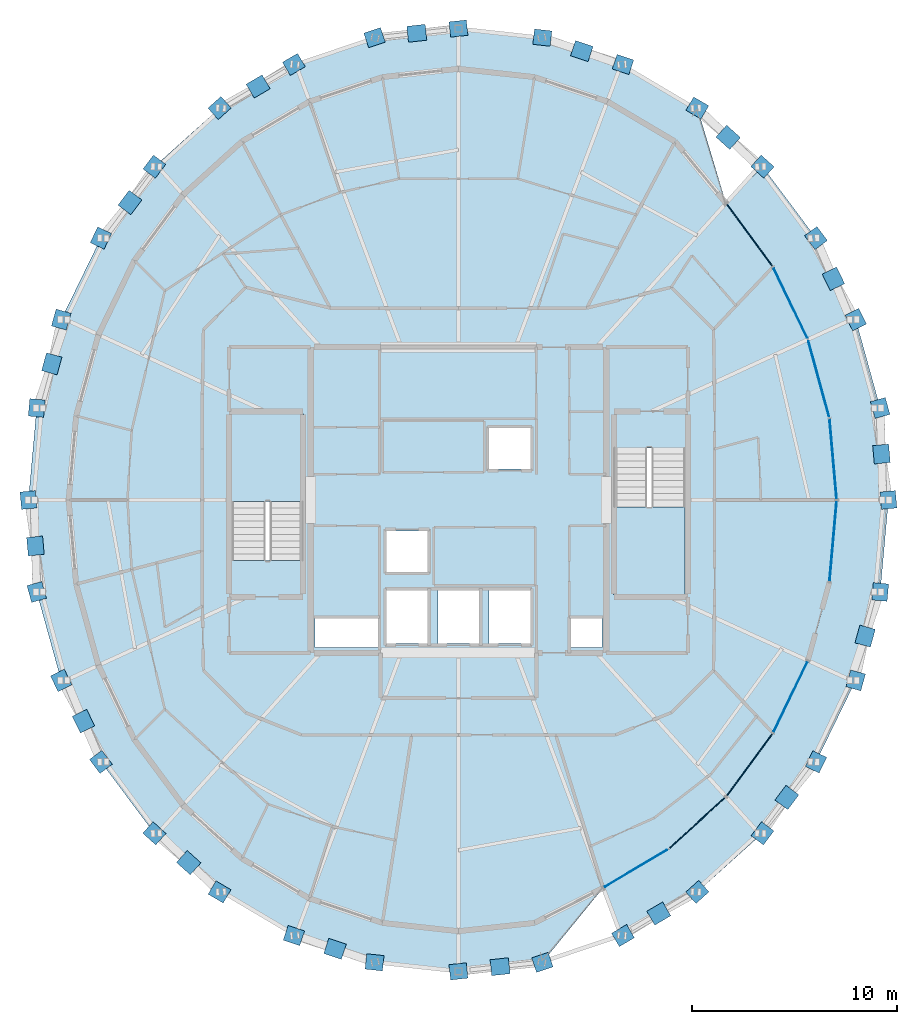
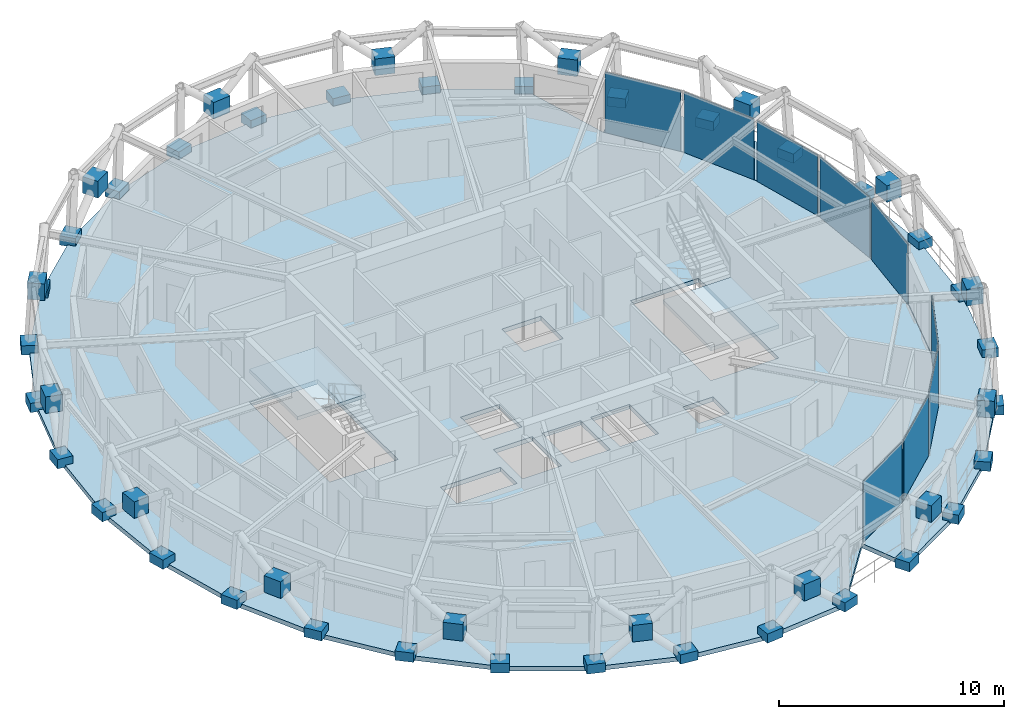
# One storey, part 9 of 15: 57 plates, 4 slabs, 4 elements without a shape of their own.
"""IFC4 building model written with IfcOpenShell, lengths in metres."""

from ifc_helpers import new_model, si_unit, direction, frame, origin, origin_2d, place, context, subcontext, project, spatial, polyline, rectangle, outline, extrude, material, layer, layer_set, type_object, element, aggregate, save


model = new_model("IFC4")

# Units and contexts
model_context = context("Model", 3, precision=1e-05, world=origin(), true_north=direction((0.0, 1.0)))
body_context = subcontext(model_context, "Body", "Model", "MODEL_VIEW")
ifc_project = project(units=[si_unit("LENGTHUNIT", "METRE"), si_unit("AREAUNIT", "SQUARE_METRE"), si_unit("VOLUMEUNIT", "CUBIC_METRE"), si_unit("PLANEANGLEUNIT", "RADIAN"), si_unit("MASSUNIT", "GRAM", prefix="KILO")], contexts=[model_context])

# Site, building, storey
site_placement = place(None, origin())
site = spatial("IfcSite", under=ifc_project, at=site_placement, CompositionType="ELEMENT")
building_placement = place(site_placement, origin())
building = spatial("IfcBuilding", under=site, at=building_placement, Name="Veldorina Hangang Commons", CompositionType="ELEMENT")
storey_placement = place(building_placement, frame((0.0, 0.0, 276.0)))
storey = spatial("IfcBuildingStorey", under=building, at=storey_placement, Name="L72", CompositionType="ELEMENT", Elevation=276.0)

# Curtain wall, plates
ifc_material_1 = material(Name="Glass Low-E Selective", Category="glass")
ifc_layer_1 = layer(ifc_material_1, 0.179931640625)
ifc_layer_set_1 = layer_set([ifc_layer_1], Name="Glass Low-E Selective")
curtain_wall_type = type_object("IfcCurtainWallType", Name="CW-SYS-Z3", PredefinedType="NOTDEFINED", material=ifc_layer_set_1)
curtain_wall_1_placement = place(storey_placement, origin())
curtain_wall_1 = element("IfcCurtainWall", 1, at=curtain_wall_1_placement, inside=storey, type_object=curtain_wall_type, Name="L72 unitised curtain wall CW-L72-R1", PredefinedType="NOTDEFINED")
ifc_material_2 = material(Name="Glass Low-E Triple IGU", Category="glass")
ifc_layer_2 = layer(ifc_material_2, 0.0400390625)
ifc_layer_set_2 = layer_set([ifc_layer_2], Name="Glass Low-E Triple IGU")
plate_type_1 = type_object("IfcPlateType", Name="CW-PNL-VIS", PredefinedType="CURTAIN_PANEL", material=ifc_layer_set_2)
plate_1_placement = place(storey_placement, frame((40.648193359375, 6.04931640625, 0.014892578125), z_axis=(0.0, 0.0, 1.0), x_axis=(0.860137278432, 0.510062606207, 0.0)))
plate_1 = element("IfcPlate", 2, at=plate_1_placement, type_object=plate_type_1, Name="CW-L72-R1 facet 1 glazed vision panel", PredefinedType="CURTAIN_PANEL", context=body_context, shape_type="SweptSolid", body=[
    extrude(rectangle(XDim=3.525390625, YDim=0.0400390625, at=origin_2d()), origin(), (0.0, 0.0, 1.0), 3.2900390625),
])
plate_2_placement = place(storey_placement, frame((43.638671875, 8.26611328125, 0.014892578125), z_axis=(0.0, 0.0, 1.0), x_axis=(0.739407874914, 0.67325774746, 0.0)))
plate_2 = element("IfcPlate", 3, at=plate_2_placement, type_object=plate_type_1, Name="CW-L72-R1 facet 2 glazed vision panel", PredefinedType="CURTAIN_PANEL", context=body_context, shape_type="SweptSolid", body=[
    extrude(rectangle(XDim=3.597900390625, YDim=0.0400390625, at=origin_2d()), origin(), (0.0, 0.0, 1.0), 3.2900390625),
])
plate_3_placement = place(storey_placement, frame((46.181884765625, 11.08740234375, 0.014892578125), z_axis=(0.0, 0.0, 1.0), x_axis=(0.594710541362, 0.80393990571, 0.0)))
plate_3 = element("IfcPlate", 4, at=plate_3_placement, type_object=plate_type_1, Name="CW-L72-R1 facet 3 glazed vision panel", PredefinedType="CURTAIN_PANEL", context=body_context, shape_type="SweptSolid", body=[
    extrude(rectangle(XDim=3.675048828125, YDim=0.0400390625, at=origin_2d()), origin(), (0.0, 0.0, 1.0), 3.2900390625),
])
plate_4_placement = place(storey_placement, frame((48.179931640625, 14.405029296875, 0.014892578125), z_axis=(0.0, 0.0, 1.0), x_axis=(0.434020765137, 0.900902866812, 0.0)))
plate_4 = element("IfcPlate", 5, at=plate_4_placement, type_object=plate_type_1, Name="CW-L72-R1 facet 4 glazed vision panel", PredefinedType="CURTAIN_PANEL", context=body_context, shape_type="SweptSolid", body=[
    extrude(rectangle(XDim=3.744873046875, YDim=0.0400390625, at=origin_2d()), origin(), (0.0, 0.0, 1.0), 3.2900390625),
])
aggregate(curtain_wall_1, [plate_1, plate_2, plate_3, plate_4])

curtain_wall_2_placement = place(storey_placement, origin())
curtain_wall_2 = element("IfcCurtainWall", 6, at=curtain_wall_2_placement, inside=storey, type_object=curtain_wall_type, Name="L72 unitised curtain wall CW-L72-R2", PredefinedType="NOTDEFINED")
plate_5_placement = place(storey_placement, frame((50.2578125, 22.0048828125, 0.014892578125), z_axis=(0.0, 0.0, 1.0), x_axis=(0.08842491372, 0.996082845266, 0.0)))
plate_5 = element("IfcPlate", 7, at=plate_5_placement, type_object=plate_type_1, Name="CW-L72-R2 facet 1 glazed vision panel", PredefinedType="CURTAIN_PANEL", context=body_context, shape_type="SweptSolid", body=[
    extrude(rectangle(XDim=3.82568359375, YDim=0.0400390625, at=origin_2d()), origin(), (0.0, 0.0, 1.0), 3.2900390625),
])
plate_6_placement = place(storey_placement, frame((50.2578125, 25.9951171875, 0.014892578125), z_axis=(0.0, 0.0, 1.0), x_axis=(-0.08842491372, 0.996082845266, 0.0)))
plate_6 = element("IfcPlate", 8, at=plate_6_placement, type_object=plate_type_1, Name="CW-L72-R2 facet 2 glazed vision panel", PredefinedType="CURTAIN_PANEL", context=body_context, shape_type="SweptSolid", body=[
    extrude(rectangle(XDim=3.82568359375, YDim=0.0400390625, at=origin_2d()), origin(), (0.0, 0.0, 1.0), 3.2900390625),
])
plate_7_placement = place(storey_placement, frame((49.55615234375, 29.908447265625, 0.014892578125), z_axis=(0.0, 0.0, 1.0), x_axis=(-0.263755205077, 0.964589649434, 0.0)))
plate_7 = element("IfcPlate", 9, at=plate_7_placement, type_object=plate_type_1, Name="CW-L72-R2 facet 3 glazed vision panel", PredefinedType="CURTAIN_PANEL", context=body_context, shape_type="SweptSolid", body=[
    extrude(rectangle(XDim=3.797607421875, YDim=0.0400390625, at=origin_2d()), origin(), (0.0, 0.0, 1.0), 3.2900390625),
])
plate_8_placement = place(storey_placement, frame((48.179931640625, 33.594970703125, 0.014892578125), z_axis=(0.0, 0.0, 1.0), x_axis=(-0.434020765137, 0.900902866812, 0.0)))
plate_8 = element("IfcPlate", 10, at=plate_8_placement, type_object=plate_type_1, Name="CW-L72-R2 facet 4 glazed vision panel", PredefinedType="CURTAIN_PANEL", context=body_context, shape_type="SweptSolid", body=[
    extrude(rectangle(XDim=3.744873046875, YDim=0.0400390625, at=origin_2d()), origin(), (0.0, 0.0, 1.0), 3.2900390625),
])
plate_9_placement = place(storey_placement, frame((46.181884765625, 36.91259765625, 0.014892578125), z_axis=(0.0, 0.0, 1.0), x_axis=(-0.594710541362, 0.80393990571, 0.0)))
plate_9 = element("IfcPlate", 11, at=plate_9_placement, type_object=plate_type_1, Name="CW-L72-R2 facet 5 glazed vision panel", PredefinedType="CURTAIN_PANEL", context=body_context, shape_type="SweptSolid", body=[
    extrude(rectangle(XDim=3.675048828125, YDim=0.0400390625, at=origin_2d()), origin(), (0.0, 0.0, 1.0), 3.2900390625),
])
aggregate(curtain_wall_2, [plate_5, plate_6, plate_7, plate_8, plate_9])

# Plates
ifc_material_3 = material(Name="Steel SM460-TMC", Category="steel")
ifc_layer_3 = layer(ifc_material_3, 0.035888671875)
ifc_layer_set_3 = layer_set([ifc_layer_3], Name="Steel SM460-TMC")
plate_type_2 = type_object("IfcPlateType", Name="PL-STAR-36", PredefinedType="USERDEFINED", material=ifc_layer_set_3)
plate_10_placement = place(storey_placement, frame((52.954833984375, 24.0, -0.090087890625), z_axis=(0.0, 0.0, 1.0), x_axis=(-0.089467960561, 0.995989700767, 0.0)))
element("IfcPlate", 12, at=plate_10_placement, inside=storey, type_object=plate_type_2, Name="L72 diagrid star-node gusset plate 00", ObjectType="GUSSET PLATE", PredefinedType="USERDEFINED", context=body_context, shape_type="SweptSolid", body=[
    extrude(rectangle(XDim=0.85009765625, YDim=0.75, at=origin_2d()), origin(), (0.0, 0.0, 1.0), 0.5),
])
plate_11_placement = place(storey_placement, frame((52.614990234375, 26.240478515625, 1.3505859375), z_axis=(0.0, 0.0, 1.0), x_axis=(-0.089467960561, 0.995989700767, 0.0)))
element("IfcPlate", 13, at=plate_11_placement, inside=storey, type_object=plate_type_2, Name="L72 diagrid X-crossing star-node gusset plate 00", ObjectType="GUSSET PLATE", PredefinedType="USERDEFINED", context=body_context, shape_type="SweptSolid", body=[
    extrude(rectangle(XDim=0.89990234375, YDim=0.780029296875, at=origin_2d()), origin(), (0.0, 0.0, 1.0), 0.89990234375),
])
for number, where, z_axis, x_axis, name in (
    (14, (52.55224609375, 28.481689453125, -0.090087890625), (0.0, 0.0, 1.0), (-0.266700141653, 0.963779556975, 0.0), "L72 diagrid star-node gusset plate 01"),
    (15, (51.35986328125, 32.791259765625, -0.090087890625), (0.0, 0.0, 1.0), (-0.438245647193, 0.898855245697, 0.0), "L72 diagrid star-node gusset plate 02"),
):
    element("IfcPlate", number, at=place(storey_placement, frame(where, z_axis=z_axis, x_axis=x_axis)), inside=storey, type_object=plate_type_2, Name=name, ObjectType="GUSSET PLATE", PredefinedType="USERDEFINED", context=body_context, shape_type="SweptSolid", body=[
        extrude(rectangle(XDim=0.85009765625, YDim=0.75, at=origin_2d()), origin(), (0.0, 0.0, 1.0), 0.5),
    ])
plate_12_placement = place(storey_placement, frame((50.272705078125, 34.776611328125, 1.352783203125), z_axis=(0.0, 0.0, 1.0), x_axis=(-0.438245647193, 0.898855245697, 0.0)))
element("IfcPlate", 16, at=plate_12_placement, inside=storey, type_object=plate_type_2, Name="L72 diagrid X-crossing star-node gusset plate 02", ObjectType="GUSSET PLATE", PredefinedType="USERDEFINED", context=body_context, shape_type="SweptSolid", body=[
    extrude(rectangle(XDim=0.89990234375, YDim=0.780029296875, at=origin_2d()), origin(), (0.0, 0.0, 1.0), 0.89990234375),
])
for number, where, z_axis, x_axis, name in (
    (17, (49.42333984375, 36.762939453125, -0.090087890625), (0.0, 0.0, 1.0), (-0.599261153925, 0.800553601826, 0.0), "L72 diagrid star-node gusset plate 03"),
    (18, (46.8173828125, 40.244140625, -0.090087890625), (0.0, 0.0, 1.0), (-0.743413371835, 0.668832235002, 0.0), "L72 diagrid star-node gusset plate 04"),
):
    element("IfcPlate", number, at=place(storey_placement, frame(where, z_axis=z_axis, x_axis=x_axis)), inside=storey, type_object=plate_type_2, Name=name, ObjectType="GUSSET PLATE", PredefinedType="USERDEFINED", context=body_context, shape_type="SweptSolid", body=[
        extrude(rectangle(XDim=0.85009765625, YDim=0.75, at=origin_2d()), origin(), (0.0, 0.0, 1.0), 0.5),
    ])
plate_13_placement = place(storey_placement, frame((45.144775390625, 41.673095703125, 1.35693359375), z_axis=(0.0, 0.0, 1.0), x_axis=(-0.743413371835, 0.668832235002, 0.0)))
element("IfcPlate", 19, at=plate_13_placement, inside=storey, type_object=plate_type_2, Name="L72 diagrid X-crossing star-node gusset plate 04", ObjectType="GUSSET PLATE", PredefinedType="USERDEFINED", context=body_context, shape_type="SweptSolid", body=[
    extrude(rectangle(XDim=0.89990234375, YDim=0.780029296875, at=origin_2d()), origin(), (0.0, 0.0, 1.0), 0.89990234375),
])
for number, where, z_axis, x_axis, name in (
    (20, (43.641845703125, 43.10107421875, -0.090087890625), (0.0, 0.0, 1.0), (-0.862778509623, 0.505582083675, 0.0), "L72 diagrid star-node gusset plate 05"),
    (21, (40.01904296875, 45.22412109375, -0.090087890625), (0.0, 0.0, 1.0), (-0.948903553606, 0.315566230692, 0.0), "L72 diagrid star-node gusset plate 06"),
):
    element("IfcPlate", number, at=place(storey_placement, frame(where, z_axis=z_axis, x_axis=x_axis)), inside=storey, type_object=plate_type_2, Name=name, ObjectType="GUSSET PLATE", PredefinedType="USERDEFINED", context=body_context, shape_type="SweptSolid", body=[
        extrude(rectangle(XDim=0.85009765625, YDim=0.75, at=origin_2d()), origin(), (0.0, 0.0, 1.0), 0.5),
    ])
plate_14_placement = place(storey_placement, frame((38.013916015625, 45.875732421875, 1.361083984375), z_axis=(0.0, 0.0, 1.0), x_axis=(-0.948903553606, 0.315566230692, 0.0)))
element("IfcPlate", 22, at=plate_14_placement, inside=storey, type_object=plate_type_2, Name="L72 diagrid X-crossing star-node gusset plate 06", ObjectType="GUSSET PLATE", PredefinedType="USERDEFINED", context=body_context, shape_type="SweptSolid", body=[
    extrude(rectangle(XDim=0.89990234375, YDim=0.780029296875, at=origin_2d()), origin(), (0.0, 0.0, 1.0), 0.89990234375),
])
for number, where, z_axis, x_axis, name in (
    (23, (36.088134765625, 46.53125, -0.090087890625), (0.0, 0.0, 1.0), (-0.994222373205, 0.107339986113, 0.0), "L72 diagrid star-node gusset plate 07"),
    (24, (32.0, 46.97265625, -0.090087890625), (0.0, 0.0, 1.0), (-0.994222373205, -0.107339986113, 0.0), "L72 diagrid star-node gusset plate 08"),
):
    element("IfcPlate", number, at=place(storey_placement, frame(where, z_axis=z_axis, x_axis=x_axis)), inside=storey, type_object=plate_type_2, Name=name, ObjectType="GUSSET PLATE", PredefinedType="USERDEFINED", context=body_context, shape_type="SweptSolid", body=[
        extrude(rectangle(XDim=0.85009765625, YDim=0.75, at=origin_2d()), origin(), (0.0, 0.0, 1.0), 0.5),
    ])
plate_15_placement = place(storey_placement, frame((29.969970703125, 46.744384765625, 1.362060546875), z_axis=(0.0, 0.0, 1.0), x_axis=(-0.994222373205, -0.107339986113, 0.0)))
element("IfcPlate", 25, at=plate_15_placement, inside=storey, type_object=plate_type_2, Name="L72 diagrid X-crossing star-node gusset plate 08", ObjectType="GUSSET PLATE", PredefinedType="USERDEFINED", context=body_context, shape_type="SweptSolid", body=[
    extrude(rectangle(XDim=0.89990234375, YDim=0.780029296875, at=origin_2d()), origin(), (0.0, 0.0, 1.0), 0.89990234375),
])
for number, where, z_axis, x_axis, name in (
    (26, (27.911865234375, 46.53125, -0.090087890625), (0.0, 0.0, 1.0), (-0.948903553606, -0.315566230692, 0.0), "L72 diagrid star-node gusset plate 09"),
    (27, (23.98095703125, 45.22412109375, -0.090087890625), (0.0, 0.0, 1.0), (-0.862778509623, -0.505582083675, 0.0), "L72 diagrid star-node gusset plate 10"),
):
    element("IfcPlate", number, at=place(storey_placement, frame(where, z_axis=z_axis, x_axis=x_axis)), inside=storey, type_object=plate_type_2, Name=name, ObjectType="GUSSET PLATE", PredefinedType="USERDEFINED", context=body_context, shape_type="SweptSolid", body=[
        extrude(rectangle(XDim=0.85009765625, YDim=0.75, at=origin_2d()), origin(), (0.0, 0.0, 1.0), 0.5),
    ])
plate_16_placement = place(storey_placement, frame((22.239013671875, 44.152099609375, 1.359130859375), z_axis=(0.0, 0.0, 1.0), x_axis=(-0.862778509623, -0.505582083675, 0.0)))
element("IfcPlate", 28, at=plate_16_placement, inside=storey, type_object=plate_type_2, Name="L72 diagrid X-crossing star-node gusset plate 10", ObjectType="GUSSET PLATE", PredefinedType="USERDEFINED", context=body_context, shape_type="SweptSolid", body=[
    extrude(rectangle(XDim=0.89990234375, YDim=0.780029296875, at=origin_2d()), origin(), (0.0, 0.0, 1.0), 0.89990234375),
])
for number, where, z_axis, x_axis, name in (
    (29, (20.358154296875, 43.10107421875, -0.090087890625), (0.0, 0.0, 1.0), (-0.743413371835, -0.668832235002, 0.0), "L72 diagrid star-node gusset plate 11"),
    (30, (17.1826171875, 40.244140625, -0.090087890625), (0.0, 0.0, 1.0), (-0.599261153925, -0.800553601826, 0.0), "L72 diagrid star-node gusset plate 12"),
):
    element("IfcPlate", number, at=place(storey_placement, frame(where, z_axis=z_axis, x_axis=x_axis)), inside=storey, type_object=plate_type_2, Name=name, ObjectType="GUSSET PLATE", PredefinedType="USERDEFINED", context=body_context, shape_type="SweptSolid", body=[
        extrude(rectangle(XDim=0.85009765625, YDim=0.75, at=origin_2d()), origin(), (0.0, 0.0, 1.0), 0.5),
    ])
plate_17_placement = place(storey_placement, frame((15.993896484375, 38.49560546875, 1.354736328125), z_axis=(0.0, 0.0, 1.0), x_axis=(-0.599261153925, -0.800553601826, 0.0)))
element("IfcPlate", 31, at=plate_17_placement, inside=storey, type_object=plate_type_2, Name="L72 diagrid X-crossing star-node gusset plate 12", ObjectType="GUSSET PLATE", PredefinedType="USERDEFINED", context=body_context, shape_type="SweptSolid", body=[
    extrude(rectangle(XDim=0.89990234375, YDim=0.780029296875, at=origin_2d()), origin(), (0.0, 0.0, 1.0), 0.89990234375),
])
for number, where, z_axis, x_axis, name in (
    (32, (14.57666015625, 36.762939453125, -0.090087890625), (0.0, 0.0, 1.0), (-0.438245647193, -0.898855245697, 0.0), "L72 diagrid star-node gusset plate 13"),
    (33, (12.64013671875, 32.791259765625, -0.090087890625), (0.0, 0.0, 1.0), (-0.266700141653, -0.963779556975, 0.0), "L72 diagrid star-node gusset plate 14"),
):
    element("IfcPlate", number, at=place(storey_placement, frame(where, z_axis=z_axis, x_axis=x_axis)), inside=storey, type_object=plate_type_2, Name=name, ObjectType="GUSSET PLATE", PredefinedType="USERDEFINED", context=body_context, shape_type="SweptSolid", body=[
        extrude(rectangle(XDim=0.85009765625, YDim=0.75, at=origin_2d()), origin(), (0.0, 0.0, 1.0), 0.5),
    ])
plate_18_placement = place(storey_placement, frame((12.181884765625, 30.6337890625, 1.351318359375), z_axis=(0.0, 0.0, 1.0), x_axis=(-0.266700141653, -0.963779556975, 0.0)))
element("IfcPlate", 34, at=plate_18_placement, inside=storey, type_object=plate_type_2, Name="L72 diagrid X-crossing star-node gusset plate 14", ObjectType="GUSSET PLATE", PredefinedType="USERDEFINED", context=body_context, shape_type="SweptSolid", body=[
    extrude(rectangle(XDim=0.89990234375, YDim=0.780029296875, at=origin_2d()), origin(), (0.0, 0.0, 1.0), 0.89990234375),
])
for number, where, z_axis, x_axis, name in (
    (35, (11.44775390625, 28.481689453125, -0.090087890625), (0.0, 0.0, 1.0), (-0.089467960561, -0.995989700767, 0.0), "L72 diagrid star-node gusset plate 15"),
    (36, (11.045166015625, 24.0, -0.090087890625), (0.0, 0.0, 1.0), (0.089467960561, -0.995989700767, 0.0), "L72 diagrid star-node gusset plate 16"),
):
    element("IfcPlate", number, at=place(storey_placement, frame(where, z_axis=z_axis, x_axis=x_axis)), inside=storey, type_object=plate_type_2, Name=name, ObjectType="GUSSET PLATE", PredefinedType="USERDEFINED", context=body_context, shape_type="SweptSolid", body=[
        extrude(rectangle(XDim=0.85009765625, YDim=0.75, at=origin_2d()), origin(), (0.0, 0.0, 1.0), 0.5),
    ])
plate_19_placement = place(storey_placement, frame((11.385009765625, 21.759521484375, 1.3505859375), z_axis=(0.0, 0.0, 1.0), x_axis=(0.089467960561, -0.995989700767, 0.0)))
element("IfcPlate", 37, at=plate_19_placement, inside=storey, type_object=plate_type_2, Name="L72 diagrid X-crossing star-node gusset plate 16", ObjectType="GUSSET PLATE", PredefinedType="USERDEFINED", context=body_context, shape_type="SweptSolid", body=[
    extrude(rectangle(XDim=0.89990234375, YDim=0.780029296875, at=origin_2d()), origin(), (0.0, 0.0, 1.0), 0.89990234375),
])
for number, where, z_axis, x_axis, name in (
    (38, (11.44775390625, 19.518310546875, -0.090087890625), (0.0, 0.0, 1.0), (0.266700141653, -0.963779556975, 0.0), "L72 diagrid star-node gusset plate 17"),
    (39, (12.64013671875, 15.208740234375, -0.090087890625), (0.0, 0.0, 1.0), (0.438245647193, -0.898855245697, 0.0), "L72 diagrid star-node gusset plate 18"),
):
    element("IfcPlate", number, at=place(storey_placement, frame(where, z_axis=z_axis, x_axis=x_axis)), inside=storey, type_object=plate_type_2, Name=name, ObjectType="GUSSET PLATE", PredefinedType="USERDEFINED", context=body_context, shape_type="SweptSolid", body=[
        extrude(rectangle(XDim=0.85009765625, YDim=0.75, at=origin_2d()), origin(), (0.0, 0.0, 1.0), 0.5),
    ])
plate_20_placement = place(storey_placement, frame((13.727294921875, 13.223388671875, 1.352783203125), z_axis=(0.0, 0.0, 1.0), x_axis=(0.438245647193, -0.898855245697, 0.0)))
element("IfcPlate", 40, at=plate_20_placement, inside=storey, type_object=plate_type_2, Name="L72 diagrid X-crossing star-node gusset plate 18", ObjectType="GUSSET PLATE", PredefinedType="USERDEFINED", context=body_context, shape_type="SweptSolid", body=[
    extrude(rectangle(XDim=0.89990234375, YDim=0.780029296875, at=origin_2d()), origin(), (0.0, 0.0, 1.0), 0.89990234375),
])
for number, where, z_axis, x_axis, name in (
    (41, (14.57666015625, 11.237060546875, -0.090087890625), (0.0, 0.0, 1.0), (0.599261153925, -0.800553601826, 0.0), "L72 diagrid star-node gusset plate 19"),
    (42, (17.1826171875, 7.755859375, -0.090087890625), (0.0, 0.0, 1.0), (0.743413371835, -0.668832235002, 0.0), "L72 diagrid star-node gusset plate 20"),
):
    element("IfcPlate", number, at=place(storey_placement, frame(where, z_axis=z_axis, x_axis=x_axis)), inside=storey, type_object=plate_type_2, Name=name, ObjectType="GUSSET PLATE", PredefinedType="USERDEFINED", context=body_context, shape_type="SweptSolid", body=[
        extrude(rectangle(XDim=0.85009765625, YDim=0.75, at=origin_2d()), origin(), (0.0, 0.0, 1.0), 0.5),
    ])
plate_21_placement = place(storey_placement, frame((18.855224609375, 6.326904296875, 1.35693359375), z_axis=(0.0, 0.0, 1.0), x_axis=(0.743413371835, -0.668832235002, 0.0)))
element("IfcPlate", 43, at=plate_21_placement, inside=storey, type_object=plate_type_2, Name="L72 diagrid X-crossing star-node gusset plate 20", ObjectType="GUSSET PLATE", PredefinedType="USERDEFINED", context=body_context, shape_type="SweptSolid", body=[
    extrude(rectangle(XDim=0.89990234375, YDim=0.780029296875, at=origin_2d()), origin(), (0.0, 0.0, 1.0), 0.89990234375),
])
for number, where, z_axis, x_axis, name in (
    (44, (20.358154296875, 4.89892578125, -0.090087890625), (0.0, 0.0, 1.0), (0.862778509623, -0.505582083675, 0.0), "L72 diagrid star-node gusset plate 21"),
    (45, (23.98095703125, 2.77587890625, -0.090087890625), (0.0, 0.0, 1.0), (0.948903553606, -0.315566230692, 0.0), "L72 diagrid star-node gusset plate 22"),
):
    element("IfcPlate", number, at=place(storey_placement, frame(where, z_axis=z_axis, x_axis=x_axis)), inside=storey, type_object=plate_type_2, Name=name, ObjectType="GUSSET PLATE", PredefinedType="USERDEFINED", context=body_context, shape_type="SweptSolid", body=[
        extrude(rectangle(XDim=0.85009765625, YDim=0.75, at=origin_2d()), origin(), (0.0, 0.0, 1.0), 0.5),
    ])
plate_22_placement = place(storey_placement, frame((25.986083984375, 2.124267578125, 1.361083984375), z_axis=(0.0, 0.0, 1.0), x_axis=(0.948903553606, -0.315566230692, 0.0)))
element("IfcPlate", 46, at=plate_22_placement, inside=storey, type_object=plate_type_2, Name="L72 diagrid X-crossing star-node gusset plate 22", ObjectType="GUSSET PLATE", PredefinedType="USERDEFINED", context=body_context, shape_type="SweptSolid", body=[
    extrude(rectangle(XDim=0.89990234375, YDim=0.780029296875, at=origin_2d()), origin(), (0.0, 0.0, 1.0), 0.89990234375),
])
for number, where, z_axis, x_axis, name in (
    (47, (27.911865234375, 1.46875, -0.090087890625), (0.0, 0.0, 1.0), (0.994222373205, -0.107339986113, 0.0), "L72 diagrid star-node gusset plate 23"),
    (48, (32.0, 1.02734375, -0.090087890625), (0.0, 0.0, 1.0), (0.994222373205, 0.107339986113, 0.0), "L72 diagrid star-node gusset plate 24"),
):
    element("IfcPlate", number, at=place(storey_placement, frame(where, z_axis=z_axis, x_axis=x_axis)), inside=storey, type_object=plate_type_2, Name=name, ObjectType="GUSSET PLATE", PredefinedType="USERDEFINED", context=body_context, shape_type="SweptSolid", body=[
        extrude(rectangle(XDim=0.85009765625, YDim=0.75, at=origin_2d()), origin(), (0.0, 0.0, 1.0), 0.5),
    ])
plate_23_placement = place(storey_placement, frame((34.030029296875, 1.255615234375, 1.362060546875), z_axis=(0.0, 0.0, 1.0), x_axis=(0.994222373205, 0.107339986113, 0.0)))
element("IfcPlate", 49, at=plate_23_placement, inside=storey, type_object=plate_type_2, Name="L72 diagrid X-crossing star-node gusset plate 24", ObjectType="GUSSET PLATE", PredefinedType="USERDEFINED", context=body_context, shape_type="SweptSolid", body=[
    extrude(rectangle(XDim=0.89990234375, YDim=0.780029296875, at=origin_2d()), origin(), (0.0, 0.0, 1.0), 0.89990234375),
])
for number, where, z_axis, x_axis, name in (
    (50, (36.088134765625, 1.46875, -0.090087890625), (0.0, 0.0, 1.0), (0.948903553606, 0.315566230692, 0.0), "L72 diagrid star-node gusset plate 25"),
    (51, (40.01904296875, 2.77587890625, -0.090087890625), (0.0, 0.0, 1.0), (0.862778509623, 0.505582083675, 0.0), "L72 diagrid star-node gusset plate 26"),
):
    element("IfcPlate", number, at=place(storey_placement, frame(where, z_axis=z_axis, x_axis=x_axis)), inside=storey, type_object=plate_type_2, Name=name, ObjectType="GUSSET PLATE", PredefinedType="USERDEFINED", context=body_context, shape_type="SweptSolid", body=[
        extrude(rectangle(XDim=0.85009765625, YDim=0.75, at=origin_2d()), origin(), (0.0, 0.0, 1.0), 0.5),
    ])
plate_24_placement = place(storey_placement, frame((41.760986328125, 3.847900390625, 1.359130859375), z_axis=(0.0, 0.0, 1.0), x_axis=(0.862778509623, 0.505582083675, 0.0)))
element("IfcPlate", 52, at=plate_24_placement, inside=storey, type_object=plate_type_2, Name="L72 diagrid X-crossing star-node gusset plate 26", ObjectType="GUSSET PLATE", PredefinedType="USERDEFINED", context=body_context, shape_type="SweptSolid", body=[
    extrude(rectangle(XDim=0.89990234375, YDim=0.780029296875, at=origin_2d()), origin(), (0.0, 0.0, 1.0), 0.89990234375),
])
for number, where, z_axis, x_axis, name in (
    (53, (43.641845703125, 4.89892578125, -0.090087890625), (0.0, 0.0, 1.0), (0.743413371835, 0.668832235002, 0.0), "L72 diagrid star-node gusset plate 27"),
    (54, (46.8173828125, 7.755859375, -0.090087890625), (0.0, 0.0, 1.0), (0.599261153925, 0.800553601826, 0.0), "L72 diagrid star-node gusset plate 28"),
):
    element("IfcPlate", number, at=place(storey_placement, frame(where, z_axis=z_axis, x_axis=x_axis)), inside=storey, type_object=plate_type_2, Name=name, ObjectType="GUSSET PLATE", PredefinedType="USERDEFINED", context=body_context, shape_type="SweptSolid", body=[
        extrude(rectangle(XDim=0.85009765625, YDim=0.75, at=origin_2d()), origin(), (0.0, 0.0, 1.0), 0.5),
    ])
plate_25_placement = place(storey_placement, frame((48.006103515625, 9.50439453125, 1.354736328125), z_axis=(0.0, 0.0, 1.0), x_axis=(0.599261153925, 0.800553601826, 0.0)))
element("IfcPlate", 55, at=plate_25_placement, inside=storey, type_object=plate_type_2, Name="L72 diagrid X-crossing star-node gusset plate 28", ObjectType="GUSSET PLATE", PredefinedType="USERDEFINED", context=body_context, shape_type="SweptSolid", body=[
    extrude(rectangle(XDim=0.89990234375, YDim=0.780029296875, at=origin_2d()), origin(), (0.0, 0.0, 1.0), 0.89990234375),
])
for number, where, z_axis, x_axis, name in (
    (56, (49.42333984375, 11.237060546875, -0.090087890625), (0.0, 0.0, 1.0), (0.438245647193, 0.898855245697, 0.0), "L72 diagrid star-node gusset plate 29"),
    (57, (51.35986328125, 15.208740234375, -0.090087890625), (0.0, 0.0, 1.0), (0.266700141653, 0.963779556975, 0.0), "L72 diagrid star-node gusset plate 30"),
):
    element("IfcPlate", number, at=place(storey_placement, frame(where, z_axis=z_axis, x_axis=x_axis)), inside=storey, type_object=plate_type_2, Name=name, ObjectType="GUSSET PLATE", PredefinedType="USERDEFINED", context=body_context, shape_type="SweptSolid", body=[
        extrude(rectangle(XDim=0.85009765625, YDim=0.75, at=origin_2d()), origin(), (0.0, 0.0, 1.0), 0.5),
    ])
plate_26_placement = place(storey_placement, frame((51.818115234375, 17.3662109375, 1.351318359375), z_axis=(0.0, 0.0, 1.0), x_axis=(0.266700141653, 0.963779556975, 0.0)))
element("IfcPlate", 58, at=plate_26_placement, inside=storey, type_object=plate_type_2, Name="L72 diagrid X-crossing star-node gusset plate 30", ObjectType="GUSSET PLATE", PredefinedType="USERDEFINED", context=body_context, shape_type="SweptSolid", body=[
    extrude(rectangle(XDim=0.89990234375, YDim=0.780029296875, at=origin_2d()), origin(), (0.0, 0.0, 1.0), 0.89990234375),
])
plate_27_placement = place(storey_placement, frame((52.55224609375, 19.518310546875, -0.090087890625), z_axis=(0.0, 0.0, 1.0), x_axis=(0.089467960561, 0.995989700767, 0.0)))
element("IfcPlate", 59, at=plate_27_placement, inside=storey, type_object=plate_type_2, Name="L72 diagrid star-node gusset plate 31", ObjectType="GUSSET PLATE", PredefinedType="USERDEFINED", context=body_context, shape_type="SweptSolid", body=[
    extrude(rectangle(XDim=0.85009765625, YDim=0.75, at=origin_2d()), origin(), (0.0, 0.0, 1.0), 0.5),
])

# Slabs
ifc_material_4 = material(Name="Concrete C40/50", Category="concrete")
ifc_layer_4 = layer(ifc_material_4, 0.239990234375)
ifc_layer_set_4 = layer_set([ifc_layer_4], Name="Concrete C40/50")
slab_type_1 = type_object("IfcSlabType", Name="SL-FLR-240", PredefinedType="FLOOR", material=ifc_layer_set_4)
slab_1_placement = place(storey_placement, frame((0.0, 0.0, -0.239990234375)))
element("IfcSlab", 60, at=slab_1_placement, inside=storey, type_object=slab_type_1, Name="L72 tower structural floor slab", PredefinedType="FLOOR", context=body_context, shape_type="SweptSolid", body=[
    extrude(outline(polyline([(50.434814453125, 24.0), (50.080810546875, 27.989990234375), (49.031494140625, 31.826904296875), (47.328125, 35.36279296875), (45.035400390625, 38.462158203125), (43.641845703125, 43.10107421875), (40.01904296875, 45.22412109375), (36.088134765625, 46.53125), (32.0, 46.97265625), (27.911865234375, 46.53125), (23.98095703125, 45.22412109375), (20.358154296875, 43.10107421875), (17.1826171875, 40.244140625), (14.57666015625, 36.762939453125), (12.64013671875, 32.791259765625), (11.44775390625, 28.481689453125), (11.045166015625, 24.0), (11.44775390625, 19.518310546875), (12.64013671875, 15.208740234375), (14.57666015625, 11.237060546875), (17.1826171875, 7.755859375), (20.358154296875, 4.89892578125), (23.98095703125, 2.77587890625), (27.911865234375, 1.46875), (32.0, 1.02734375), (36.088134765625, 1.46875), (39.0546875, 5.104248046875), (42.241943359375, 6.994140625), (45.035400390625, 9.537841796875), (47.328125, 12.63720703125), (49.031494140625, 16.173095703125), (50.080810546875, 20.010009765625), (50.434814453125, 24.0)]), holes=[polyline([(20.949951171875, 21.05810546875), (20.949951171875, 28.199951171875), (24.449951171875, 28.199951171875), (24.449951171875, 21.05810546875), (20.949951171875, 21.05810546875)]), polyline([(43.050048828125, 26.5419921875), (43.050048828125, 19.39990234375), (39.550048828125, 19.39990234375), (39.550048828125, 26.5419921875), (43.050048828125, 26.5419921875)]), polyline([(33.5, 27.5), (35.5, 27.5), (35.5, 25.5), (33.5, 25.5), (33.5, 27.5)]), polyline([(28.5, 22.5), (30.5, 22.5), (30.5, 20.5), (28.5, 20.5), (28.5, 22.5)]), polyline([(28.5, 19.60009765625), (30.5, 19.60009765625), (30.5, 17.0), (28.5, 17.0), (28.5, 19.60009765625)]), polyline([(31.0, 19.60009765625), (33.0, 19.60009765625), (33.0, 17.0), (31.0, 17.0), (31.0, 19.60009765625)]), polyline([(33.5, 19.60009765625), (35.5, 19.60009765625), (35.5, 17.0), (33.5, 17.0), (33.5, 19.60009765625)]), polyline([(25.0, 18.25), (28.10009765625, 18.25), (28.10009765625, 16.800048828125), (25.0, 16.800048828125), (25.0, 18.25)]), polyline([(37.449951171875, 18.25), (39.0, 18.25), (39.0, 16.800048828125), (37.449951171875, 16.800048828125), (37.449951171875, 18.25)])]), origin(), (0.0, 0.0, 1.0), 0.239990234375),
])
slab_2_placement = place(storey_placement, frame((0.0, 0.0, -0.239990234375)))
element("IfcSlab", 61, at=slab_2_placement, inside=storey, type_object=slab_type_1, Name="L72 sky-garden loggia outdoor slab", PredefinedType="FLOOR", context=body_context, shape_type="SweptSolid", body=[
    extrude(outline(polyline([(46.8173828125, 40.244140625), (49.42333984375, 36.762939453125), (51.35986328125, 32.791259765625), (52.55224609375, 28.481689453125), (52.954833984375, 24.0), (52.55224609375, 19.518310546875), (51.35986328125, 15.208740234375), (49.42333984375, 11.237060546875), (46.8173828125, 7.755859375), (43.641845703125, 4.89892578125), (40.01904296875, 2.77587890625), (39.061279296875, 5.08837890625), (39.064697265625, 5.0927734375), (42.24951171875, 6.981201171875), (42.250732421875, 6.982177734375), (42.251953125, 6.983154296875), (45.04541015625, 9.526611328125), (45.04638671875, 9.527587890625), (45.047607421875, 9.52880859375), (47.340087890625, 12.628173828125), (47.3408203125, 12.62939453125), (47.341552734375, 12.630615234375), (49.045166015625, 16.16650390625), (49.045654296875, 16.167724609375), (49.046142578125, 16.169189453125), (50.09521484375, 20.005859375), (50.095458984375, 20.007080078125), (50.095703125, 20.008544921875), (50.44970703125, 23.998779296875), (50.449951171875, 24.0), (50.44970703125, 24.001220703125), (50.095703125, 27.991455078125), (50.095458984375, 27.992919921875), (50.09521484375, 27.994140625), (49.046142578125, 31.830810546875), (49.045654296875, 31.832275390625), (49.045166015625, 31.83349609375), (47.341552734375, 35.369384765625), (47.3408203125, 35.37060546875), (47.340087890625, 35.371826171875), (45.049072265625, 38.468994140625), (45.04736328125, 38.47412109375), (46.8173828125, 40.244140625)])), origin(), (0.0, 0.0, 1.0), 0.239990234375),
])

# Stair, slab
stair_type = type_object("IfcStairType", Name="STR-DOG-1650-20R", PredefinedType="HALF_TURN_STAIR", material=ifc_material_4)
stair_1_placement = place(storey_placement, origin())
stair_1 = element("IfcStair", 62, at=stair_1_placement, inside=storey, type_object=stair_type, Name="L72 Exit stair ST-1", PredefinedType="HALF_TURN_STAIR")
ifc_layer_5 = layer(ifc_material_4, 0.199951171875)
ifc_layer_set_5 = layer_set([ifc_layer_5], Name="Concrete C40/50")
slab_type_2 = type_object("IfcSlabType", Name="SL-LND-200", PredefinedType="LANDING", material=ifc_layer_set_5)
slab_3_placement = place(storey_placement, frame((0.0, 0.0, 1.60009765625)))
slab_3 = element("IfcSlab", 63, at=slab_3_placement, type_object=slab_type_2, Name="ST-1 landing 1", PredefinedType="LANDING", context=body_context, shape_type="SweptSolid", body=[
    extrude(outline(polyline([(24.449951171875, 23.929931640625), (24.449951171875, 28.199951171875), (20.949951171875, 28.199951171875), (20.949951171875, 23.929931640625), (24.449951171875, 23.929931640625)])), origin(), (0.0, 0.0, 1.0), 0.199951171875),
])
aggregate(stair_1, [slab_3])

stair_2_placement = place(storey_placement, origin())
stair_2 = element("IfcStair", 64, at=stair_2_placement, inside=storey, type_object=stair_type, Name="L72 Exit stair ST-2", PredefinedType="HALF_TURN_STAIR")
slab_4_placement = place(storey_placement, frame((0.0, 0.0, 1.60009765625)))
slab_4 = element("IfcSlab", 65, at=slab_4_placement, type_object=slab_type_2, Name="ST-2 landing 1", PredefinedType="LANDING", context=body_context, shape_type="SweptSolid", body=[
    extrude(outline(polyline([(39.550048828125, 23.669921875), (39.550048828125, 19.39990234375), (43.050048828125, 19.39990234375), (43.050048828125, 23.669921875), (39.550048828125, 23.669921875)])), origin(), (0.0, 0.0, 1.0), 0.199951171875),
])
aggregate(stair_2, [slab_4])

save(model, "model.ifc")
